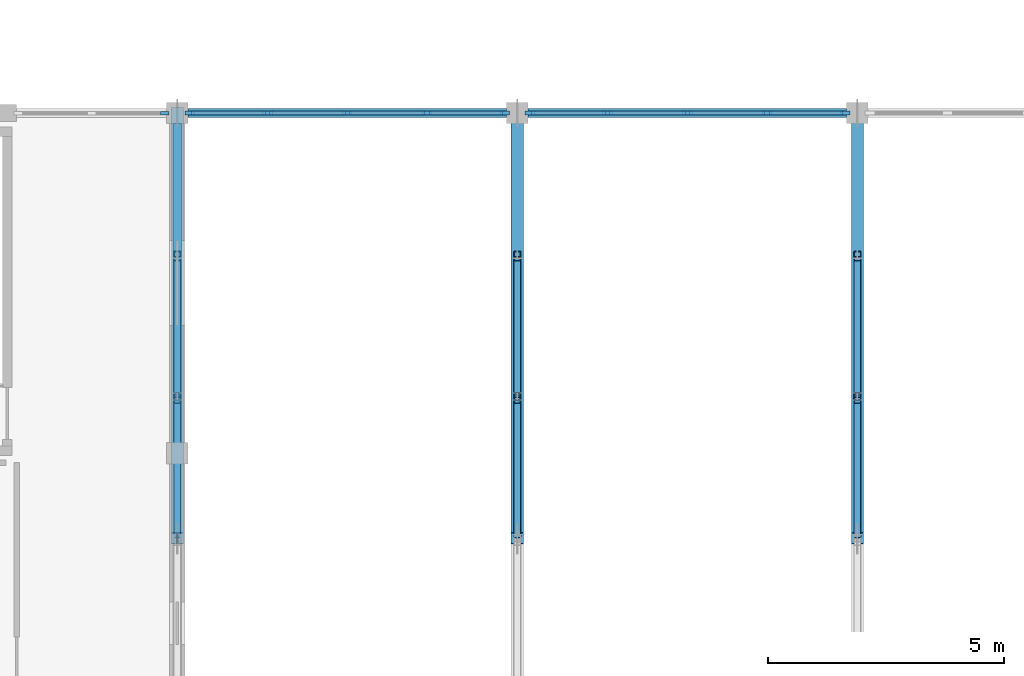
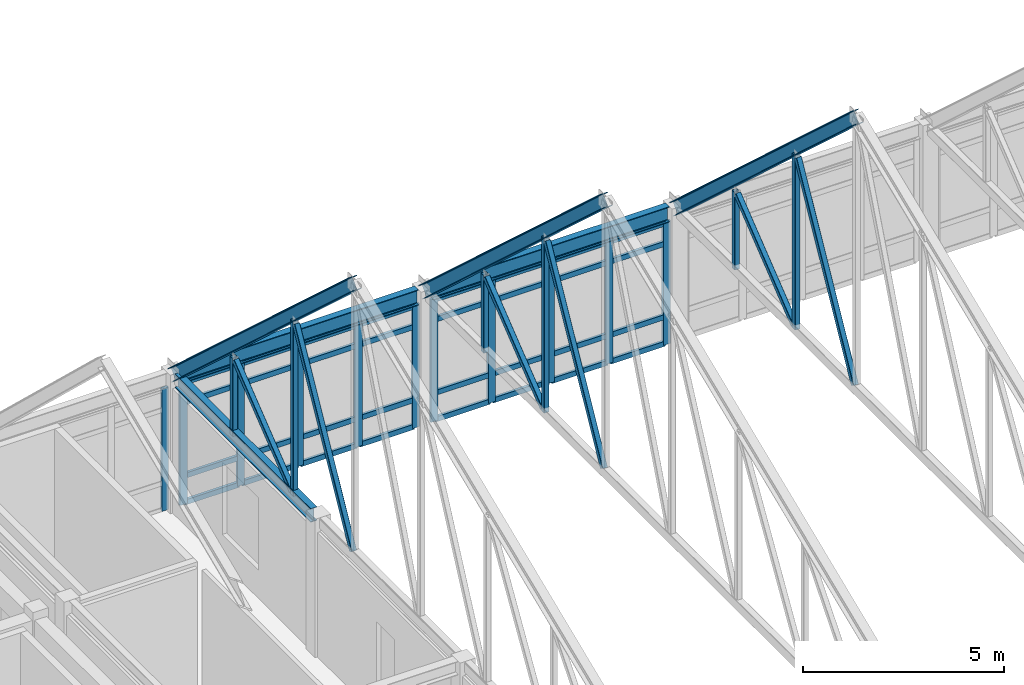
# One storey, part 47 of 136: 58 members, 3 beams, 3 elements without a shape of their own.
"""IFC4 building model written with IfcOpenShell, lengths in metres."""

from ifc_helpers import new_model, si_unit, direction, frame, origin, origin_2d, place, context, subcontext, project, spatial, rectangle, hollow_rectangle, i_section, extrude, material, layer, layer_set, material_profile, profile_set, type_object, element, aggregate, save


model = new_model("IFC4")

# Units and contexts
model_context = context("Model", 3, precision=1e-05, world=origin(), true_north=direction((0.0, 1.0)))
body_context = subcontext(model_context, "Body", "Model", "MODEL_VIEW")
ifc_project = project(units=[si_unit("LENGTHUNIT", "METRE"), si_unit("AREAUNIT", "SQUARE_METRE"), si_unit("VOLUMEUNIT", "CUBIC_METRE"), si_unit("PLANEANGLEUNIT", "RADIAN"), si_unit("MASSUNIT", "GRAM", prefix="KILO")], contexts=[model_context])

# Site, building, storey
site_placement = place(None, origin())
site = spatial("IfcSite", under=ifc_project, at=site_placement, CompositionType="ELEMENT")
building_placement = place(site_placement, origin())
building = spatial("IfcBuilding", under=site, at=building_placement, Name="Koriwan Promenade Central Fire Station", CompositionType="ELEMENT")
storey_placement = place(building_placement, frame((0.0, 0.0, 5.39990234375)))
storey = spatial("IfcBuildingStorey", under=building, at=storey_placement, Name="L01", CompositionType="ELEMENT", Elevation=5.39990234375)

# Curtain wall, member
ifc_material_1 = material(Name="Aluminium EN AW-6063-T6 and low-E glazing", Category="aluminium")
ifc_layer_1 = layer(ifc_material_1, 0.159912109375, Name="Aluminium EN AW-6063-T6 and low-E glazing")
ifc_layer_set_1 = layer_set([ifc_layer_1], Name="Aluminium EN AW-6063-T6 and low-E glazing")
curtain_wall_type_1 = type_object("IfcCurtainWallType", Name="CurtainWall_02_318x372", PredefinedType="USERDEFINED", material=ifc_layer_set_1)
curtain_wall_1_placement = place(storey_placement, origin())
curtain_wall_1 = element("IfcCurtainWall", 1, at=curtain_wall_1_placement, inside=storey, type_object=curtain_wall_type_1, Name="V1 L01 unitised curtain wall 002", ObjectType="UNITISED CURTAIN WALL", PredefinedType="USERDEFINED")
ifc_material_2 = material(Name="Aluminium EN AW-6063-T6", Category="aluminium")
ifc_material_profile_1 = material_profile(ifc_material_2, rectangle(XDim=0.074951171875, YDim=0.179931640625, at=origin_2d()), Name="ALU-MUL-75x180")
ifc_profile_set_1 = profile_set([ifc_material_profile_1], Name="Aluminium EN AW-6063-T6")
member_type_1 = type_object("IfcMemberType", Name="CWMullion_ALU-MUL-75x180", PredefinedType="MULLION", material=ifc_profile_set_1)
member_1_placement = place(storey_placement, frame((64.53759765625, 72.0, 0.0), z_axis=(0.0, 0.0, 1.0), x_axis=(0.0, 1.0, 0.0)))
member_1 = element("IfcMember", 2, at=member_1_placement, type_object=member_type_1, Name="CW-02 mullion 3", PredefinedType="MULLION", context=body_context, shape_type="SweptSolid", body=[
    extrude(rectangle(XDim=0.074951171875, YDim=0.179931640625, at=origin_2d()), origin(), (0.0, 0.0, 1.0), 3.72119140625),
])
aggregate(curtain_wall_1, [member_1])

# Curtain wall, members
ifc_layer_2 = layer(ifc_material_1, 0.159912109375, Name="Aluminium EN AW-6063-T6 and low-E glazing")
ifc_layer_set_2 = layer_set([ifc_layer_2], Name="Aluminium EN AW-6063-T6 and low-E glazing")
curtain_wall_type_2 = type_object("IfcCurtainWallType", Name="CurtainWall_93_675x372", PredefinedType="USERDEFINED", material=ifc_layer_set_2)
curtain_wall_2_placement = place(storey_placement, origin())
curtain_wall_2 = element("IfcCurtainWall", 3, at=curtain_wall_2_placement, inside=storey, type_object=curtain_wall_type_2, Name="V1 L01 unitised curtain wall 290", ObjectType="UNITISED CURTAIN WALL", PredefinedType="USERDEFINED")
ifc_material_profile_2 = material_profile(ifc_material_2, rectangle(XDim=0.080078125, YDim=0.2099609375, at=origin_2d()), Name="ALU-MUL-80x210")
ifc_profile_set_2 = profile_set([ifc_material_profile_2], Name="Aluminium EN AW-6063-T6")
member_type_2 = type_object("IfcMemberType", Name="CWMullion_ALU-MUL-80x210", PredefinedType="MULLION", material=ifc_profile_set_2)
member_2_placement = place(storey_placement, frame((65.06494140625, 72.0, 0.0), z_axis=(0.0, 0.0, 1.0), x_axis=(0.0, 1.0, 0.0)))
member_2 = element("IfcMember", 4, at=member_2_placement, type_object=member_type_2, Name="CW-93 mullion 1", PredefinedType="MULLION", context=body_context, shape_type="SweptSolid", body=[
    extrude(rectangle(XDim=0.080078125, YDim=0.2099609375, at=origin_2d()), origin(), (0.0, 0.0, 1.0), 3.72119140625),
])
member_3_placement = place(storey_placement, frame((66.71240234375, 72.0, 0.0), z_axis=(0.0, 0.0, 1.0), x_axis=(0.0, 1.0, 0.0)))
member_3 = element("IfcMember", 5, at=member_3_placement, type_object=member_type_2, Name="CW-93 mullion 2", PredefinedType="MULLION", context=body_context, shape_type="SweptSolid", body=[
    extrude(rectangle(XDim=0.080078125, YDim=0.2099609375, at=origin_2d()), origin(), (0.0, 0.0, 1.0), 3.72119140625),
])
member_4_placement = place(storey_placement, frame((68.39990234375, 72.0, 0.0), z_axis=(0.0, 0.0, 1.0), x_axis=(0.0, 1.0, 0.0)))
member_4 = element("IfcMember", 6, at=member_4_placement, type_object=member_type_2, Name="CW-93 mullion 3", PredefinedType="MULLION", context=body_context, shape_type="SweptSolid", body=[
    extrude(rectangle(XDim=0.080078125, YDim=0.2099609375, at=origin_2d()), origin(), (0.0, 0.0, 1.0), 3.72119140625),
])
member_5_placement = place(storey_placement, frame((70.08740234375, 72.0, 0.0), z_axis=(0.0, 0.0, 1.0), x_axis=(0.0, 1.0, 0.0)))
member_5 = element("IfcMember", 7, at=member_5_placement, type_object=member_type_2, Name="CW-93 mullion 4", PredefinedType="MULLION", context=body_context, shape_type="SweptSolid", body=[
    extrude(rectangle(XDim=0.080078125, YDim=0.2099609375, at=origin_2d()), origin(), (0.0, 0.0, 1.0), 3.72119140625),
])
member_6_placement = place(storey_placement, frame((71.735107421875, 72.0, 0.0), z_axis=(0.0, 0.0, 1.0), x_axis=(0.0, 1.0, 0.0)))
member_6 = element("IfcMember", 8, at=member_6_placement, type_object=member_type_2, Name="CW-93 mullion 5", PredefinedType="MULLION", context=body_context, shape_type="SweptSolid", body=[
    extrude(rectangle(XDim=0.080078125, YDim=0.2099609375, at=origin_2d()), origin(), (0.0, 0.0, 1.0), 3.72119140625),
])

curtain_wall_3_placement = place(storey_placement, origin())
curtain_wall_3 = element("IfcCurtainWall", 9, at=curtain_wall_3_placement, inside=storey, type_object=curtain_wall_type_2, Name="V1 L01 unitised curtain wall 292", ObjectType="UNITISED CURTAIN WALL", PredefinedType="USERDEFINED")
member_7_placement = place(storey_placement, frame((72.264892578125, 72.0, 0.0), z_axis=(0.0, 0.0, 1.0), x_axis=(0.0, 1.0, 0.0)))
member_7 = element("IfcMember", 10, at=member_7_placement, type_object=member_type_2, Name="CW-93 mullion 1", PredefinedType="MULLION", context=body_context, shape_type="SweptSolid", body=[
    extrude(rectangle(XDim=0.080078125, YDim=0.2099609375, at=origin_2d()), origin(), (0.0, 0.0, 1.0), 3.72119140625),
])
member_8_placement = place(storey_placement, frame((73.91259765625, 72.0, 0.0), z_axis=(0.0, 0.0, 1.0), x_axis=(0.0, 1.0, 0.0)))
member_8 = element("IfcMember", 11, at=member_8_placement, type_object=member_type_2, Name="CW-93 mullion 2", PredefinedType="MULLION", context=body_context, shape_type="SweptSolid", body=[
    extrude(rectangle(XDim=0.080078125, YDim=0.2099609375, at=origin_2d()), origin(), (0.0, 0.0, 1.0), 3.72119140625),
])
member_9_placement = place(storey_placement, frame((75.60009765625, 72.0, 0.0), z_axis=(0.0, 0.0, 1.0), x_axis=(0.0, 1.0, 0.0)))
member_9 = element("IfcMember", 12, at=member_9_placement, type_object=member_type_2, Name="CW-93 mullion 3", PredefinedType="MULLION", context=body_context, shape_type="SweptSolid", body=[
    extrude(rectangle(XDim=0.080078125, YDim=0.2099609375, at=origin_2d()), origin(), (0.0, 0.0, 1.0), 3.72119140625),
])
member_10_placement = place(storey_placement, frame((77.28759765625, 72.0, 0.0), z_axis=(0.0, 0.0, 1.0), x_axis=(0.0, 1.0, 0.0)))
member_10 = element("IfcMember", 13, at=member_10_placement, type_object=member_type_2, Name="CW-93 mullion 4", PredefinedType="MULLION", context=body_context, shape_type="SweptSolid", body=[
    extrude(rectangle(XDim=0.080078125, YDim=0.2099609375, at=origin_2d()), origin(), (0.0, 0.0, 1.0), 3.72119140625),
])
member_11_placement = place(storey_placement, frame((78.93505859375, 72.0, 0.0), z_axis=(0.0, 0.0, 1.0), x_axis=(0.0, 1.0, 0.0)))
member_11 = element("IfcMember", 14, at=member_11_placement, type_object=member_type_2, Name="CW-93 mullion 5", PredefinedType="MULLION", context=body_context, shape_type="SweptSolid", body=[
    extrude(rectangle(XDim=0.080078125, YDim=0.2099609375, at=origin_2d()), origin(), (0.0, 0.0, 1.0), 3.72119140625),
])

# Member
ifc_material_profile_3 = material_profile(ifc_material_2, rectangle(XDim=0.080078125, YDim=0.155029296875, at=origin_2d()), Name="ALU-TRN-80x155")
ifc_profile_set_3 = profile_set([ifc_material_profile_3], Name="Aluminium EN AW-6063-T6")
member_type_3 = type_object("IfcMemberType", Name="CWTransom_ALU-TRN-80x155", PredefinedType="USERDEFINED", material=ifc_profile_set_3)
member_12_placement = place(storey_placement, frame((65.10498046875, 72.0, 0.0400390625), z_axis=(1.0, 0.0, 0.0), x_axis=(0.0, 1.0, 0.0)))
member_12 = element("IfcMember", 15, at=member_12_placement, type_object=member_type_3, Name="CW-93 transom 1.1", ObjectType="TRANSOM", PredefinedType="USERDEFINED", context=body_context, shape_type="SweptSolid", body=[
    extrude(rectangle(XDim=0.080078125, YDim=0.155029296875, at=origin_2d()), origin(), (0.0, 0.0, 1.0), 1.567626953125),
])

member_13_placement = place(storey_placement, frame((65.10498046875, 72.0, 0.85009765625), z_axis=(1.0, 0.0, 0.0), x_axis=(0.0, 1.0, 0.0)))
member_13 = element("IfcMember", 16, at=member_13_placement, type_object=member_type_3, Name="CW-93 transom 1.2", ObjectType="TRANSOM", PredefinedType="USERDEFINED", context=body_context, shape_type="SweptSolid", body=[
    extrude(rectangle(XDim=0.080078125, YDim=0.155029296875, at=origin_2d()), origin(), (0.0, 0.0, 1.0), 1.567626953125),
])

member_14_placement = place(storey_placement, frame((65.10498046875, 72.0, 3.071044921875), z_axis=(1.0, 0.0, 0.0), x_axis=(0.0, 1.0, 0.0)))
member_14 = element("IfcMember", 17, at=member_14_placement, type_object=member_type_3, Name="CW-93 transom 1.3", ObjectType="TRANSOM", PredefinedType="USERDEFINED", context=body_context, shape_type="SweptSolid", body=[
    extrude(rectangle(XDim=0.080078125, YDim=0.155029296875, at=origin_2d()), origin(), (0.0, 0.0, 1.0), 1.567626953125),
])

member_15_placement = place(storey_placement, frame((65.10498046875, 72.0, 3.68115234375), z_axis=(1.0, 0.0, 0.0), x_axis=(0.0, 1.0, 0.0)))
member_15 = element("IfcMember", 18, at=member_15_placement, type_object=member_type_3, Name="CW-93 transom 1.4", ObjectType="TRANSOM", PredefinedType="USERDEFINED", context=body_context, shape_type="SweptSolid", body=[
    extrude(rectangle(XDim=0.080078125, YDim=0.155029296875, at=origin_2d()), origin(), (0.0, 0.0, 1.0), 1.567626953125),
])

member_16_placement = place(storey_placement, frame((66.75244140625, 72.0, 0.0400390625), z_axis=(1.0, 0.0, 0.0), x_axis=(0.0, 1.0, 0.0)))
member_16 = element("IfcMember", 19, at=member_16_placement, type_object=member_type_3, Name="CW-93 transom 2.1", ObjectType="TRANSOM", PredefinedType="USERDEFINED", context=body_context, shape_type="SweptSolid", body=[
    extrude(rectangle(XDim=0.080078125, YDim=0.155029296875, at=origin_2d()), origin(), (0.0, 0.0, 1.0), 1.607666015625),
])

member_17_placement = place(storey_placement, frame((66.75244140625, 72.0, 0.85009765625), z_axis=(1.0, 0.0, 0.0), x_axis=(0.0, 1.0, 0.0)))
member_17 = element("IfcMember", 20, at=member_17_placement, type_object=member_type_3, Name="CW-93 transom 2.2", ObjectType="TRANSOM", PredefinedType="USERDEFINED", context=body_context, shape_type="SweptSolid", body=[
    extrude(rectangle(XDim=0.080078125, YDim=0.155029296875, at=origin_2d()), origin(), (0.0, 0.0, 1.0), 1.607666015625),
])

member_18_placement = place(storey_placement, frame((66.75244140625, 72.0, 3.071044921875), z_axis=(1.0, 0.0, 0.0), x_axis=(0.0, 1.0, 0.0)))
member_18 = element("IfcMember", 21, at=member_18_placement, type_object=member_type_3, Name="CW-93 transom 2.3", ObjectType="TRANSOM", PredefinedType="USERDEFINED", context=body_context, shape_type="SweptSolid", body=[
    extrude(rectangle(XDim=0.080078125, YDim=0.155029296875, at=origin_2d()), origin(), (0.0, 0.0, 1.0), 1.607666015625),
])

member_19_placement = place(storey_placement, frame((66.75244140625, 72.0, 3.68115234375), z_axis=(1.0, 0.0, 0.0), x_axis=(0.0, 1.0, 0.0)))
member_19 = element("IfcMember", 22, at=member_19_placement, type_object=member_type_3, Name="CW-93 transom 2.4", ObjectType="TRANSOM", PredefinedType="USERDEFINED", context=body_context, shape_type="SweptSolid", body=[
    extrude(rectangle(XDim=0.080078125, YDim=0.155029296875, at=origin_2d()), origin(), (0.0, 0.0, 1.0), 1.607666015625),
])

member_20_placement = place(storey_placement, frame((68.43994140625, 72.0, 0.0400390625), z_axis=(1.0, 0.0, 0.0), x_axis=(0.0, 1.0, 0.0)))
member_20 = element("IfcMember", 23, at=member_20_placement, type_object=member_type_3, Name="CW-93 transom 3.1", ObjectType="TRANSOM", PredefinedType="USERDEFINED", context=body_context, shape_type="SweptSolid", body=[
    extrude(rectangle(XDim=0.080078125, YDim=0.155029296875, at=origin_2d()), origin(), (0.0, 0.0, 1.0), 1.607666015625),
])

member_21_placement = place(storey_placement, frame((68.43994140625, 72.0, 0.85009765625), z_axis=(1.0, 0.0, 0.0), x_axis=(0.0, 1.0, 0.0)))
member_21 = element("IfcMember", 24, at=member_21_placement, type_object=member_type_3, Name="CW-93 transom 3.2", ObjectType="TRANSOM", PredefinedType="USERDEFINED", context=body_context, shape_type="SweptSolid", body=[
    extrude(rectangle(XDim=0.080078125, YDim=0.155029296875, at=origin_2d()), origin(), (0.0, 0.0, 1.0), 1.607666015625),
])

member_22_placement = place(storey_placement, frame((68.43994140625, 72.0, 3.071044921875), z_axis=(1.0, 0.0, 0.0), x_axis=(0.0, 1.0, 0.0)))
member_22 = element("IfcMember", 25, at=member_22_placement, type_object=member_type_3, Name="CW-93 transom 3.3", ObjectType="TRANSOM", PredefinedType="USERDEFINED", context=body_context, shape_type="SweptSolid", body=[
    extrude(rectangle(XDim=0.080078125, YDim=0.155029296875, at=origin_2d()), origin(), (0.0, 0.0, 1.0), 1.607666015625),
])

member_23_placement = place(storey_placement, frame((68.43994140625, 72.0, 3.68115234375), z_axis=(1.0, 0.0, 0.0), x_axis=(0.0, 1.0, 0.0)))
member_23 = element("IfcMember", 26, at=member_23_placement, type_object=member_type_3, Name="CW-93 transom 3.4", ObjectType="TRANSOM", PredefinedType="USERDEFINED", context=body_context, shape_type="SweptSolid", body=[
    extrude(rectangle(XDim=0.080078125, YDim=0.155029296875, at=origin_2d()), origin(), (0.0, 0.0, 1.0), 1.607666015625),
])

member_24_placement = place(storey_placement, frame((70.12744140625, 72.0, 0.0400390625), z_axis=(1.0, 0.0, 0.0), x_axis=(0.0, 1.0, 0.0)))
member_24 = element("IfcMember", 27, at=member_24_placement, type_object=member_type_3, Name="CW-93 transom 4.1", ObjectType="TRANSOM", PredefinedType="USERDEFINED", context=body_context, shape_type="SweptSolid", body=[
    extrude(rectangle(XDim=0.080078125, YDim=0.155029296875, at=origin_2d()), origin(), (0.0, 0.0, 1.0), 1.567626953125),
])

member_25_placement = place(storey_placement, frame((70.12744140625, 72.0, 0.85009765625), z_axis=(1.0, 0.0, 0.0), x_axis=(0.0, 1.0, 0.0)))
member_25 = element("IfcMember", 28, at=member_25_placement, type_object=member_type_3, Name="CW-93 transom 4.2", ObjectType="TRANSOM", PredefinedType="USERDEFINED", context=body_context, shape_type="SweptSolid", body=[
    extrude(rectangle(XDim=0.080078125, YDim=0.155029296875, at=origin_2d()), origin(), (0.0, 0.0, 1.0), 1.567626953125),
])

member_26_placement = place(storey_placement, frame((70.12744140625, 72.0, 3.071044921875), z_axis=(1.0, 0.0, 0.0), x_axis=(0.0, 1.0, 0.0)))
member_26 = element("IfcMember", 29, at=member_26_placement, type_object=member_type_3, Name="CW-93 transom 4.3", ObjectType="TRANSOM", PredefinedType="USERDEFINED", context=body_context, shape_type="SweptSolid", body=[
    extrude(rectangle(XDim=0.080078125, YDim=0.155029296875, at=origin_2d()), origin(), (0.0, 0.0, 1.0), 1.567626953125),
])

member_27_placement = place(storey_placement, frame((70.12744140625, 72.0, 3.68115234375), z_axis=(1.0, 0.0, 0.0), x_axis=(0.0, 1.0, 0.0)))
member_27 = element("IfcMember", 30, at=member_27_placement, type_object=member_type_3, Name="CW-93 transom 4.4", ObjectType="TRANSOM", PredefinedType="USERDEFINED", context=body_context, shape_type="SweptSolid", body=[
    extrude(rectangle(XDim=0.080078125, YDim=0.155029296875, at=origin_2d()), origin(), (0.0, 0.0, 1.0), 1.567626953125),
])

aggregate(curtain_wall_2, [member_2, member_3, member_4, member_5, member_6, member_12, member_13, member_14, member_15, member_16, member_17, member_18, member_19, member_20, member_21, member_22, member_23, member_24, member_25, member_26, member_27])

member_28_placement = place(storey_placement, frame((72.304931640625, 72.0, 0.0400390625), z_axis=(1.0, 0.0, 0.0), x_axis=(0.0, 1.0, 0.0)))
member_28 = element("IfcMember", 31, at=member_28_placement, type_object=member_type_3, Name="CW-93 transom 1.1", ObjectType="TRANSOM", PredefinedType="USERDEFINED", context=body_context, shape_type="SweptSolid", body=[
    extrude(rectangle(XDim=0.080078125, YDim=0.155029296875, at=origin_2d()), origin(), (0.0, 0.0, 1.0), 1.567626953125),
])

member_29_placement = place(storey_placement, frame((72.304931640625, 72.0, 0.85009765625), z_axis=(1.0, 0.0, 0.0), x_axis=(0.0, 1.0, 0.0)))
member_29 = element("IfcMember", 32, at=member_29_placement, type_object=member_type_3, Name="CW-93 transom 1.2", ObjectType="TRANSOM", PredefinedType="USERDEFINED", context=body_context, shape_type="SweptSolid", body=[
    extrude(rectangle(XDim=0.080078125, YDim=0.155029296875, at=origin_2d()), origin(), (0.0, 0.0, 1.0), 1.567626953125),
])

member_30_placement = place(storey_placement, frame((72.304931640625, 72.0, 3.071044921875), z_axis=(1.0, 0.0, 0.0), x_axis=(0.0, 1.0, 0.0)))
member_30 = element("IfcMember", 33, at=member_30_placement, type_object=member_type_3, Name="CW-93 transom 1.3", ObjectType="TRANSOM", PredefinedType="USERDEFINED", context=body_context, shape_type="SweptSolid", body=[
    extrude(rectangle(XDim=0.080078125, YDim=0.155029296875, at=origin_2d()), origin(), (0.0, 0.0, 1.0), 1.567626953125),
])

member_31_placement = place(storey_placement, frame((72.304931640625, 72.0, 3.68115234375), z_axis=(1.0, 0.0, 0.0), x_axis=(0.0, 1.0, 0.0)))
member_31 = element("IfcMember", 34, at=member_31_placement, type_object=member_type_3, Name="CW-93 transom 1.4", ObjectType="TRANSOM", PredefinedType="USERDEFINED", context=body_context, shape_type="SweptSolid", body=[
    extrude(rectangle(XDim=0.080078125, YDim=0.155029296875, at=origin_2d()), origin(), (0.0, 0.0, 1.0), 1.567626953125),
])

member_32_placement = place(storey_placement, frame((73.952392578125, 72.0, 0.0400390625), z_axis=(1.0, 0.0, 0.0), x_axis=(0.0, 1.0, 0.0)))
member_32 = element("IfcMember", 35, at=member_32_placement, type_object=member_type_3, Name="CW-93 transom 2.1", ObjectType="TRANSOM", PredefinedType="USERDEFINED", context=body_context, shape_type="SweptSolid", body=[
    extrude(rectangle(XDim=0.080078125, YDim=0.155029296875, at=origin_2d()), origin(), (0.0, 0.0, 1.0), 1.607666015625),
])

member_33_placement = place(storey_placement, frame((73.952392578125, 72.0, 0.85009765625), z_axis=(1.0, 0.0, 0.0), x_axis=(0.0, 1.0, 0.0)))
member_33 = element("IfcMember", 36, at=member_33_placement, type_object=member_type_3, Name="CW-93 transom 2.2", ObjectType="TRANSOM", PredefinedType="USERDEFINED", context=body_context, shape_type="SweptSolid", body=[
    extrude(rectangle(XDim=0.080078125, YDim=0.155029296875, at=origin_2d()), origin(), (0.0, 0.0, 1.0), 1.607666015625),
])

member_34_placement = place(storey_placement, frame((73.952392578125, 72.0, 3.071044921875), z_axis=(1.0, 0.0, 0.0), x_axis=(0.0, 1.0, 0.0)))
member_34 = element("IfcMember", 37, at=member_34_placement, type_object=member_type_3, Name="CW-93 transom 2.3", ObjectType="TRANSOM", PredefinedType="USERDEFINED", context=body_context, shape_type="SweptSolid", body=[
    extrude(rectangle(XDim=0.080078125, YDim=0.155029296875, at=origin_2d()), origin(), (0.0, 0.0, 1.0), 1.607666015625),
])

member_35_placement = place(storey_placement, frame((73.952392578125, 72.0, 3.68115234375), z_axis=(1.0, 0.0, 0.0), x_axis=(0.0, 1.0, 0.0)))
member_35 = element("IfcMember", 38, at=member_35_placement, type_object=member_type_3, Name="CW-93 transom 2.4", ObjectType="TRANSOM", PredefinedType="USERDEFINED", context=body_context, shape_type="SweptSolid", body=[
    extrude(rectangle(XDim=0.080078125, YDim=0.155029296875, at=origin_2d()), origin(), (0.0, 0.0, 1.0), 1.607666015625),
])

member_36_placement = place(storey_placement, frame((75.639892578125, 72.0, 0.0400390625), z_axis=(1.0, 0.0, 0.0), x_axis=(0.0, 1.0, 0.0)))
member_36 = element("IfcMember", 39, at=member_36_placement, type_object=member_type_3, Name="CW-93 transom 3.1", ObjectType="TRANSOM", PredefinedType="USERDEFINED", context=body_context, shape_type="SweptSolid", body=[
    extrude(rectangle(XDim=0.080078125, YDim=0.155029296875, at=origin_2d()), origin(), (0.0, 0.0, 1.0), 1.607666015625),
])

member_37_placement = place(storey_placement, frame((75.639892578125, 72.0, 0.85009765625), z_axis=(1.0, 0.0, 0.0), x_axis=(0.0, 1.0, 0.0)))
member_37 = element("IfcMember", 40, at=member_37_placement, type_object=member_type_3, Name="CW-93 transom 3.2", ObjectType="TRANSOM", PredefinedType="USERDEFINED", context=body_context, shape_type="SweptSolid", body=[
    extrude(rectangle(XDim=0.080078125, YDim=0.155029296875, at=origin_2d()), origin(), (0.0, 0.0, 1.0), 1.607666015625),
])

member_38_placement = place(storey_placement, frame((75.639892578125, 72.0, 3.071044921875), z_axis=(1.0, 0.0, 0.0), x_axis=(0.0, 1.0, 0.0)))
member_38 = element("IfcMember", 41, at=member_38_placement, type_object=member_type_3, Name="CW-93 transom 3.3", ObjectType="TRANSOM", PredefinedType="USERDEFINED", context=body_context, shape_type="SweptSolid", body=[
    extrude(rectangle(XDim=0.080078125, YDim=0.155029296875, at=origin_2d()), origin(), (0.0, 0.0, 1.0), 1.607666015625),
])

member_39_placement = place(storey_placement, frame((75.639892578125, 72.0, 3.68115234375), z_axis=(1.0, 0.0, 0.0), x_axis=(0.0, 1.0, 0.0)))
member_39 = element("IfcMember", 42, at=member_39_placement, type_object=member_type_3, Name="CW-93 transom 3.4", ObjectType="TRANSOM", PredefinedType="USERDEFINED", context=body_context, shape_type="SweptSolid", body=[
    extrude(rectangle(XDim=0.080078125, YDim=0.155029296875, at=origin_2d()), origin(), (0.0, 0.0, 1.0), 1.607666015625),
])

member_40_placement = place(storey_placement, frame((77.327392578125, 72.0, 0.0400390625), z_axis=(1.0, 0.0, 0.0), x_axis=(0.0, 1.0, 0.0)))
member_40 = element("IfcMember", 43, at=member_40_placement, type_object=member_type_3, Name="CW-93 transom 4.1", ObjectType="TRANSOM", PredefinedType="USERDEFINED", context=body_context, shape_type="SweptSolid", body=[
    extrude(rectangle(XDim=0.080078125, YDim=0.155029296875, at=origin_2d()), origin(), (0.0, 0.0, 1.0), 1.567626953125),
])

member_41_placement = place(storey_placement, frame((77.327392578125, 72.0, 0.85009765625), z_axis=(1.0, 0.0, 0.0), x_axis=(0.0, 1.0, 0.0)))
member_41 = element("IfcMember", 44, at=member_41_placement, type_object=member_type_3, Name="CW-93 transom 4.2", ObjectType="TRANSOM", PredefinedType="USERDEFINED", context=body_context, shape_type="SweptSolid", body=[
    extrude(rectangle(XDim=0.080078125, YDim=0.155029296875, at=origin_2d()), origin(), (0.0, 0.0, 1.0), 1.567626953125),
])

member_42_placement = place(storey_placement, frame((77.327392578125, 72.0, 3.071044921875), z_axis=(1.0, 0.0, 0.0), x_axis=(0.0, 1.0, 0.0)))
member_42 = element("IfcMember", 45, at=member_42_placement, type_object=member_type_3, Name="CW-93 transom 4.3", ObjectType="TRANSOM", PredefinedType="USERDEFINED", context=body_context, shape_type="SweptSolid", body=[
    extrude(rectangle(XDim=0.080078125, YDim=0.155029296875, at=origin_2d()), origin(), (0.0, 0.0, 1.0), 1.567626953125),
])

member_43_placement = place(storey_placement, frame((77.327392578125, 72.0, 3.68115234375), z_axis=(1.0, 0.0, 0.0), x_axis=(0.0, 1.0, 0.0)))
member_43 = element("IfcMember", 46, at=member_43_placement, type_object=member_type_3, Name="CW-93 transom 4.4", ObjectType="TRANSOM", PredefinedType="USERDEFINED", context=body_context, shape_type="SweptSolid", body=[
    extrude(rectangle(XDim=0.080078125, YDim=0.155029296875, at=origin_2d()), origin(), (0.0, 0.0, 1.0), 1.567626953125),
])

aggregate(curtain_wall_3, [member_7, member_8, member_9, member_10, member_11, member_28, member_29, member_30, member_31, member_32, member_33, member_34, member_35, member_36, member_37, member_38, member_39, member_40, member_41, member_42, member_43])

# Members
ifc_material_3 = material(Name="Steel ASTM A992 Grade 50", Category="steel")
ifc_material_profile_4 = material_profile(ifc_material_3, i_section(OverallWidth=0.257080078125, OverallDepth=0.363037109375, WebThickness=0.012939453125, FlangeThickness=0.021728515625, FilletRadius=0.014892578125, at=origin_2d()), Name="W360x122")
ifc_profile_set_4 = profile_set([ifc_material_profile_4], Name="Steel ASTM A992 Grade 50")
member_type_4 = type_object("IfcMemberType", Name="Member_CHORD_W360x122", PredefinedType="CHORD", material=ifc_profile_set_4)
for number, where, z_axis, x_axis, name in (
    (47, (64.800048828125, 63.0, 12.240478515625), (0.0, 0.738360163823, -0.674406604712), (-1.0, 0.0, 0.0), "TR_V1_02 north top chord"),
    (48, (72.0, 63.0, 12.240478515625), (0.0, 0.738360163823, -0.674406604712), (-1.0, 0.0, 0.0), "TR_V1_03 north top chord"),
    (49, (79.199951171875, 63.0, 12.240478515625), (0.0, 0.738360163823, -0.674406604712), (-1.0, 0.0, 0.0), "TR_V1_04 north top chord"),
):
    element("IfcMember", number, at=place(storey_placement, frame(where, z_axis=z_axis, x_axis=x_axis)), inside=storey, type_object=member_type_4, Name=name, PredefinedType="CHORD", context=body_context, shape_type="SweptSolid", body=[
        extrude(i_section(OverallWidth=0.257080078125, OverallDepth=0.363037109375, WebThickness=0.012939453125, FlangeThickness=0.021728515625, FilletRadius=0.014892578125, at=origin_2d()), origin(), (0.0, 0.0, 1.0), 12.189208984375),
    ])
ifc_material_4 = material(Name="Steel ASTM A500 Grade C", Category="steel")
ifc_material_profile_5 = material_profile(ifc_material_4, hollow_rectangle(XDim=0.14990234375, YDim=0.14990234375, WallThickness=0.008056640625, InnerFilletRadius=0.008056640625, OuterFilletRadius=0.01611328125, at=origin_2d()), Name="HSS150x150x8")
ifc_profile_set_5 = profile_set([ifc_material_profile_5], Name="Steel ASTM A500 Grade C")
member_type_5 = type_object("IfcMemberType", Name="Member_STRUT_HSS150x150x8", PredefinedType="STRUT", material=ifc_profile_set_5)
member_44_placement = place(storey_placement, frame((64.800048828125, 66.0, 4.02001953125), z_axis=(0.0, 0.0, 1.0), x_axis=(1.0, 0.0, 0.0)))
element("IfcMember", 50, at=member_44_placement, inside=storey, type_object=member_type_5, Name="TR_V1_02 vertical 7", PredefinedType="STRUT", context=body_context, shape_type="SweptSolid", body=[
    extrude(hollow_rectangle(XDim=0.14990234375, YDim=0.14990234375, WallThickness=0.008056640625, InnerFilletRadius=0.008056640625, OuterFilletRadius=0.01611328125, at=origin_2d()), origin(), (0.0, 0.0, 1.0), 5.287109375),
])
member_45_placement = place(storey_placement, frame((64.800048828125, 69.0, 4.02001953125), z_axis=(0.0, 0.0, 1.0), x_axis=(1.0, 0.0, 0.0)))
element("IfcMember", 51, at=member_45_placement, inside=storey, type_object=member_type_5, Name="TR_V1_02 vertical 8", PredefinedType="STRUT", context=body_context, shape_type="SweptSolid", body=[
    extrude(hollow_rectangle(XDim=0.14990234375, YDim=0.14990234375, WallThickness=0.008056640625, InnerFilletRadius=0.008056640625, OuterFilletRadius=0.01611328125, at=origin_2d()), origin(), (0.0, 0.0, 1.0), 2.353759765625),
])
member_46_placement = place(storey_placement, frame((64.800048828125, 63.080078125, 4.070068359375), z_axis=(0.0, 0.480228413344, 0.87714347231), x_axis=(-1.0, 0.0, 0.0)))
element("IfcMember", 52, at=member_46_placement, inside=storey, type_object=member_type_5, Name="TR_V1_02 web diagonal 7", PredefinedType="STRUT", context=body_context, shape_type="SweptSolid", body=[
    extrude(hollow_rectangle(XDim=0.14990234375, YDim=0.14990234375, WallThickness=0.008056640625, InnerFilletRadius=0.008056640625, OuterFilletRadius=0.01611328125, at=origin_2d()), origin(), (0.0, 0.0, 1.0), 5.91357421875),
])
member_47_placement = place(storey_placement, frame((64.800048828125, 66.080078125, 4.070068359375), z_axis=(0.0, 0.783313365565, 0.621627035551), x_axis=(-1.0, 0.0, 0.0)))
element("IfcMember", 53, at=member_47_placement, inside=storey, type_object=member_type_5, Name="TR_V1_02 web diagonal 8", PredefinedType="STRUT", context=body_context, shape_type="SweptSolid", body=[
    extrude(hollow_rectangle(XDim=0.14990234375, YDim=0.14990234375, WallThickness=0.008056640625, InnerFilletRadius=0.008056640625, OuterFilletRadius=0.01611328125, at=origin_2d()), origin(), (0.0, 0.0, 1.0), 3.62548828125),
])
member_48_placement = place(storey_placement, frame((72.0, 66.0, 4.02001953125), z_axis=(0.0, 0.0, 1.0), x_axis=(1.0, 0.0, 0.0)))
element("IfcMember", 54, at=member_48_placement, inside=storey, type_object=member_type_5, Name="TR_V1_03 vertical 7", PredefinedType="STRUT", context=body_context, shape_type="SweptSolid", body=[
    extrude(hollow_rectangle(XDim=0.14990234375, YDim=0.14990234375, WallThickness=0.008056640625, InnerFilletRadius=0.008056640625, OuterFilletRadius=0.01611328125, at=origin_2d()), origin(), (0.0, 0.0, 1.0), 5.287109375),
])
member_49_placement = place(storey_placement, frame((72.0, 69.0, 4.02001953125), z_axis=(0.0, 0.0, 1.0), x_axis=(1.0, 0.0, 0.0)))
element("IfcMember", 55, at=member_49_placement, inside=storey, type_object=member_type_5, Name="TR_V1_03 vertical 8", PredefinedType="STRUT", context=body_context, shape_type="SweptSolid", body=[
    extrude(hollow_rectangle(XDim=0.14990234375, YDim=0.14990234375, WallThickness=0.008056640625, InnerFilletRadius=0.008056640625, OuterFilletRadius=0.01611328125, at=origin_2d()), origin(), (0.0, 0.0, 1.0), 2.353759765625),
])
member_50_placement = place(storey_placement, frame((72.0, 63.080078125, 4.070068359375), z_axis=(0.0, 0.480228413344, 0.87714347231), x_axis=(-1.0, 0.0, 0.0)))
element("IfcMember", 56, at=member_50_placement, inside=storey, type_object=member_type_5, Name="TR_V1_03 web diagonal 7", PredefinedType="STRUT", context=body_context, shape_type="SweptSolid", body=[
    extrude(hollow_rectangle(XDim=0.14990234375, YDim=0.14990234375, WallThickness=0.008056640625, InnerFilletRadius=0.008056640625, OuterFilletRadius=0.01611328125, at=origin_2d()), origin(), (0.0, 0.0, 1.0), 5.91357421875),
])
member_51_placement = place(storey_placement, frame((72.0, 66.080078125, 4.070068359375), z_axis=(0.0, 0.783313365565, 0.621627035551), x_axis=(-1.0, 0.0, 0.0)))
element("IfcMember", 57, at=member_51_placement, inside=storey, type_object=member_type_5, Name="TR_V1_03 web diagonal 8", PredefinedType="STRUT", context=body_context, shape_type="SweptSolid", body=[
    extrude(hollow_rectangle(XDim=0.14990234375, YDim=0.14990234375, WallThickness=0.008056640625, InnerFilletRadius=0.008056640625, OuterFilletRadius=0.01611328125, at=origin_2d()), origin(), (0.0, 0.0, 1.0), 3.62548828125),
])
member_52_placement = place(storey_placement, frame((79.199951171875, 66.0, 4.02001953125), z_axis=(0.0, 0.0, 1.0), x_axis=(1.0, 0.0, 0.0)))
element("IfcMember", 58, at=member_52_placement, inside=storey, type_object=member_type_5, Name="TR_V1_04 vertical 7", PredefinedType="STRUT", context=body_context, shape_type="SweptSolid", body=[
    extrude(hollow_rectangle(XDim=0.14990234375, YDim=0.14990234375, WallThickness=0.008056640625, InnerFilletRadius=0.008056640625, OuterFilletRadius=0.01611328125, at=origin_2d()), origin(), (0.0, 0.0, 1.0), 5.287109375),
])
member_53_placement = place(storey_placement, frame((79.199951171875, 69.0, 4.02001953125), z_axis=(0.0, 0.0, 1.0), x_axis=(1.0, 0.0, 0.0)))
element("IfcMember", 59, at=member_53_placement, inside=storey, type_object=member_type_5, Name="TR_V1_04 vertical 8", PredefinedType="STRUT", context=body_context, shape_type="SweptSolid", body=[
    extrude(hollow_rectangle(XDim=0.14990234375, YDim=0.14990234375, WallThickness=0.008056640625, InnerFilletRadius=0.008056640625, OuterFilletRadius=0.01611328125, at=origin_2d()), origin(), (0.0, 0.0, 1.0), 2.353759765625),
])
member_54_placement = place(storey_placement, frame((79.199951171875, 63.080078125, 4.070068359375), z_axis=(0.0, 0.480228413344, 0.87714347231), x_axis=(-1.0, 0.0, 0.0)))
element("IfcMember", 60, at=member_54_placement, inside=storey, type_object=member_type_5, Name="TR_V1_04 web diagonal 7", PredefinedType="STRUT", context=body_context, shape_type="SweptSolid", body=[
    extrude(hollow_rectangle(XDim=0.14990234375, YDim=0.14990234375, WallThickness=0.008056640625, InnerFilletRadius=0.008056640625, OuterFilletRadius=0.01611328125, at=origin_2d()), origin(), (0.0, 0.0, 1.0), 5.91357421875),
])
member_55_placement = place(storey_placement, frame((79.199951171875, 66.080078125, 4.070068359375), z_axis=(0.0, 0.783313365565, 0.621627035551), x_axis=(-1.0, 0.0, 0.0)))
element("IfcMember", 61, at=member_55_placement, inside=storey, type_object=member_type_5, Name="TR_V1_04 web diagonal 8", PredefinedType="STRUT", context=body_context, shape_type="SweptSolid", body=[
    extrude(hollow_rectangle(XDim=0.14990234375, YDim=0.14990234375, WallThickness=0.008056640625, InnerFilletRadius=0.008056640625, OuterFilletRadius=0.01611328125, at=origin_2d()), origin(), (0.0, 0.0, 1.0), 3.62548828125),
])

# Beams
ifc_material_profile_6 = material_profile(ifc_material_3, i_section(OverallWidth=0.180908203125, OverallDepth=0.4169921875, WebThickness=0.010986328125, FlangeThickness=0.018310546875, FilletRadius=0.01611328125, at=origin_2d()), Name="W410x85")
ifc_profile_set_6 = profile_set([ifc_material_profile_6], Name="Steel ASTM A992 Grade 50")
beam_type_1 = type_object("IfcBeamType", Name="SteelBeam_W410x85", PredefinedType="BEAM", material=ifc_profile_set_6)
beam_placement = place(storey_placement, frame((64.800048828125, 65.02490234375, 3.99169921875), z_axis=(0.0, 1.0, 0.0), x_axis=(-1.0, 0.0, 0.0)))
element("IfcBeam", 62, at=beam_placement, inside=storey, type_object=beam_type_1, Name="V1 L01 girder Y-69", PredefinedType="BEAM", context=body_context, shape_type="SweptSolid", body=[
    extrude(i_section(OverallWidth=0.180908203125, OverallDepth=0.4169921875, WebThickness=0.010986328125, FlangeThickness=0.018310546875, FilletRadius=0.01611328125, at=origin_2d()), origin(), (0.0, 0.0, 1.0), 6.75),
])
ifc_material_profile_7 = material_profile(ifc_material_3, i_section(OverallWidth=0.194091796875, OverallDepth=0.468994140625, WebThickness=0.0126953125, FlangeThickness=0.0205078125, FilletRadius=0.01806640625, at=origin_2d()), Name="W460x106")
ifc_profile_set_7 = profile_set([ifc_material_profile_7], Name="Steel ASTM A992 Grade 50")
beam_type_2 = type_object("IfcBeamType", Name="SteelBeam_W460x106", PredefinedType="BEAM", material=ifc_profile_set_7)
for number, where, z_axis, x_axis, name in (
    (63, (65.02490234375, 72.0, 3.965576171875), (1.0, 0.0, 0.0), (0.0, 1.0, 0.0), "V1 L01 girder X-55"),
    (64, (72.22509765625, 72.0, 3.965576171875), (1.0, 0.0, 0.0), (0.0, 1.0, 0.0), "V1 L01 girder X-56"),
):
    element("IfcBeam", number, at=place(storey_placement, frame(where, z_axis=z_axis, x_axis=x_axis)), inside=storey, type_object=beam_type_2, Name=name, PredefinedType="BEAM", context=body_context, shape_type="SweptSolid", body=[
        extrude(i_section(OverallWidth=0.194091796875, OverallDepth=0.468994140625, WebThickness=0.0126953125, FlangeThickness=0.0205078125, FilletRadius=0.01806640625, at=origin_2d()), origin(), (0.0, 0.0, 1.0), 6.75),
    ])

save(model, "model.ifc")
